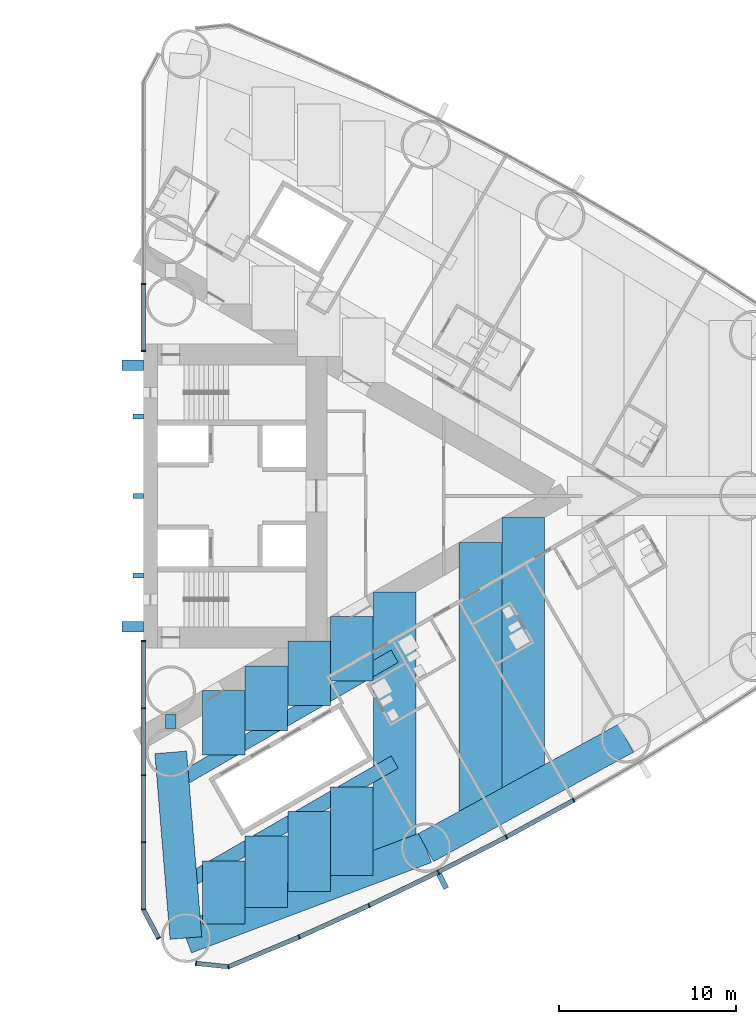
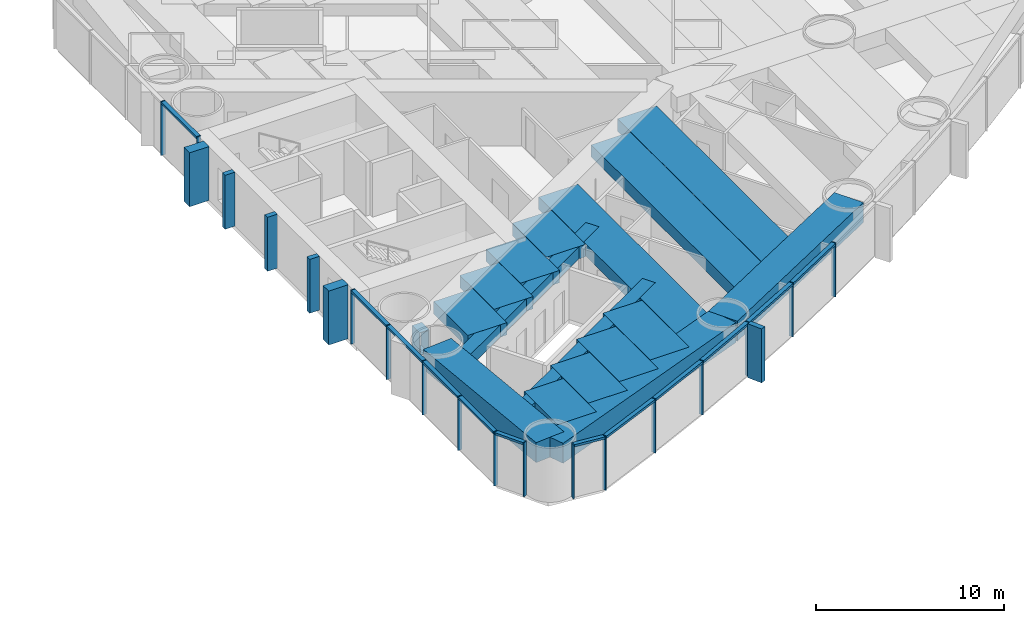
# One storey, part 6 of 19: 33 members, 17 beams, 3 elements without a shape of their own.
"""IFC4 building model written with IfcOpenShell, lengths in metres."""

from ifc_helpers import new_model, si_unit, direction, frame, origin, origin_2d, place, context, subcontext, project, spatial, rectangle, hollow_rectangle, extrude, material, material_profile, profile_set, type_object, element, aggregate, save


model = new_model("IFC4")

# Units and contexts
model_context = context("Model", 3, precision=1e-05, world=origin(), true_north=direction((0.0, 1.0)))
body_context = subcontext(model_context, "Body", "Model", "MODEL_VIEW")
ifc_project = project(units=[si_unit("LENGTHUNIT", "METRE"), si_unit("AREAUNIT", "SQUARE_METRE"), si_unit("VOLUMEUNIT", "CUBIC_METRE"), si_unit("PLANEANGLEUNIT", "RADIAN"), si_unit("MASSUNIT", "GRAM", prefix="KILO")], contexts=[model_context])

# Site, building, storey
site_placement = place(None, origin())
site = spatial("IfcSite", under=ifc_project, at=site_placement, CompositionType="ELEMENT")
building_placement = place(site_placement, origin())
building = spatial("IfcBuilding", under=site, at=building_placement, Name="Lancet Gate Hotel", CompositionType="ELEMENT")
storey_placement = place(building_placement, frame((0.0, 0.0, 63.5)))
storey = spatial("IfcBuildingStorey", under=building, at=storey_placement, Name="L16", CompositionType="ELEMENT", Elevation=63.5)

# Curtain wall, members
ifc_material_1 = material(Name="Aluminium curtain wall", Category="aluminium")
curtain_wall_type = type_object("IfcCurtainWallType", Name="Tower unitised curtain wall", PredefinedType="USERDEFINED", material=ifc_material_1)
curtain_wall_1_placement = place(storey_placement, origin())
curtain_wall_1 = element("IfcCurtainWall", 1, at=curtain_wall_1_placement, inside=storey, type_object=curtain_wall_type, Name="T2 L16 curtain wall 1", ObjectType="UNITISED CURTAIN WALL", PredefinedType="USERDEFINED")
ifc_material_2 = material(Name="Aluminium mullion", Category="aluminium")
ifc_material_profile_1 = material_profile(ifc_material_2, rectangle(XDim=0.06494140625, YDim=0.25, at=origin_2d()), Name="MULLION 65x250")
ifc_profile_set_1 = profile_set([ifc_material_profile_1], Name="Aluminium mullion")
member_type_1 = type_object("IfcMemberType", Name="Aluminium mullion 65x250", PredefinedType="MULLION", material=ifc_profile_set_1)
member_1_placement = place(storey_placement, frame((27.5, -8.199951171875, 0.0), z_axis=(0.0, 0.0, 1.0), x_axis=(0.0, -1.0, 0.0)))
member_1 = element("IfcMember", 2, at=member_1_placement, type_object=member_type_1, Name="T2 L16 curtain wall 1 mullion 1", PredefinedType="MULLION", context=body_context, shape_type="SweptSolid", body=[
    extrude(rectangle(XDim=0.06494140625, YDim=0.25, at=origin_2d()), origin(), (0.0, 0.0, 1.0), 3.5),
])
member_2_placement = place(storey_placement, frame((27.5, -11.99609375, 0.0), z_axis=(0.0, 0.0, 1.0), x_axis=(0.0, -1.0, 0.0)))
member_2 = element("IfcMember", 3, at=member_2_placement, type_object=member_type_1, Name="T2 L16 curtain wall 1 mullion 2", PredefinedType="MULLION", context=body_context, shape_type="SweptSolid", body=[
    extrude(rectangle(XDim=0.06494140625, YDim=0.25, at=origin_2d()), origin(), (0.0, 0.0, 1.0), 3.5),
])
member_3_placement = place(storey_placement, frame((27.5, -15.79248046875, 0.0), z_axis=(0.0, 0.0, 1.0), x_axis=(0.0, -1.0, 0.0)))
member_3 = element("IfcMember", 4, at=member_3_placement, type_object=member_type_1, Name="T2 L16 curtain wall 1 mullion 3", PredefinedType="MULLION", context=body_context, shape_type="SweptSolid", body=[
    extrude(rectangle(XDim=0.06494140625, YDim=0.25, at=origin_2d()), origin(), (0.0, 0.0, 1.0), 3.5),
])
member_4_placement = place(storey_placement, frame((27.5, -19.588623046875, 0.0), z_axis=(0.0, 0.0, 1.0), x_axis=(0.0, -1.0, 0.0)))
member_4 = element("IfcMember", 5, at=member_4_placement, type_object=member_type_1, Name="T2 L16 curtain wall 1 mullion 4", PredefinedType="MULLION", context=body_context, shape_type="SweptSolid", body=[
    extrude(rectangle(XDim=0.06494140625, YDim=0.25, at=origin_2d()), origin(), (0.0, 0.0, 1.0), 3.5),
])
member_5_placement = place(storey_placement, frame((27.5, -23.384765625, 0.0), z_axis=(0.0, 0.0, 1.0), x_axis=(0.157751691459, -0.987478811844, 0.0)))
member_5 = element("IfcMember", 6, at=member_5_placement, type_object=member_type_1, Name="T2 L16 curtain wall 1 mullion 5", PredefinedType="MULLION", context=body_context, shape_type="SweptSolid", body=[
    extrude(rectangle(XDim=0.06494140625, YDim=0.25, at=origin_2d()), origin(), (0.0, 0.0, 1.0), 3.5),
])
member_6_placement = place(storey_placement, frame((28.366455078125, -25.012451171875, 0.0), z_axis=(0.0, 0.0, 1.0), x_axis=(0.469897827284, -0.882720811987, 0.0)))
member_6 = element("IfcMember", 7, at=member_6_placement, type_object=member_type_1, Name="T2 L16 curtain wall 1 mullion 6", PredefinedType="MULLION", context=body_context, shape_type="SweptSolid", body=[
    extrude(rectangle(XDim=0.06494140625, YDim=0.25, at=origin_2d()), origin(), (0.0, 0.0, 1.0), 3.5),
])

curtain_wall_2_placement = place(storey_placement, origin())
curtain_wall_2 = element("IfcCurtainWall", 8, at=curtain_wall_2_placement, inside=storey, type_object=curtain_wall_type, Name="T2 L16 curtain wall 2", ObjectType="UNITISED CURTAIN WALL", PredefinedType="USERDEFINED")
member_7_placement = place(storey_placement, frame((30.48388671875, -26.4375, 0.0), z_axis=(0.0, 0.0, 1.0), x_axis=(0.994672262412, -0.10308778001, 0.0)))
member_7 = element("IfcMember", 9, at=member_7_placement, type_object=member_type_1, Name="T2 L16 curtain wall 2 mullion 1", PredefinedType="MULLION", context=body_context, shape_type="SweptSolid", body=[
    extrude(rectangle(XDim=0.06494140625, YDim=0.25, at=origin_2d()), origin(), (0.0, 0.0, 1.0), 3.5),
])
member_8_placement = place(storey_placement, frame((32.3173828125, -26.62744140625, 0.0), z_axis=(0.0, 0.0, 1.0), x_axis=(0.968721492963, 0.248150496819, 0.0)))
member_8 = element("IfcMember", 10, at=member_8_placement, type_object=member_type_1, Name="T2 L16 curtain wall 2 mullion 2", PredefinedType="MULLION", context=body_context, shape_type="SweptSolid", body=[
    extrude(rectangle(XDim=0.06494140625, YDim=0.25, at=origin_2d()), origin(), (0.0, 0.0, 1.0), 3.5),
])
member_9_placement = place(storey_placement, frame((36.31494140625, -24.943603515625, 0.0), z_axis=(0.0, 0.0, 1.0), x_axis=(0.916578705089, 0.399854320193, 0.0)))
member_9 = element("IfcMember", 11, at=member_9_placement, type_object=member_type_1, Name="T2 L16 curtain wall 2 mullion 3", PredefinedType="MULLION", context=body_context, shape_type="SweptSolid", body=[
    extrude(rectangle(XDim=0.06494140625, YDim=0.25, at=origin_2d()), origin(), (0.0, 0.0, 1.0), 3.5),
])
member_10_placement = place(storey_placement, frame((40.2685546875, -23.15869140625, 0.0), z_axis=(0.0, 0.0, 1.0), x_axis=(0.906104948671, 0.423052977762, 0.0)))
member_10 = element("IfcMember", 12, at=member_10_placement, type_object=member_type_1, Name="T2 L16 curtain wall 2 mullion 4", PredefinedType="MULLION", context=body_context, shape_type="SweptSolid", body=[
    extrude(rectangle(XDim=0.06494140625, YDim=0.25, at=origin_2d()), origin(), (0.0, 0.0, 1.0), 3.5),
])
member_11_placement = place(storey_placement, frame((44.17529296875, -21.273681640625, 0.0), z_axis=(0.0, 0.0, 1.0), x_axis=(0.895044147438, 0.445977548917, 0.0)))
member_11 = element("IfcMember", 13, at=member_11_placement, type_object=member_type_1, Name="T2 L16 curtain wall 2 mullion 5", PredefinedType="MULLION", context=body_context, shape_type="SweptSolid", body=[
    extrude(rectangle(XDim=0.06494140625, YDim=0.25, at=origin_2d()), origin(), (0.0, 0.0, 1.0), 3.5),
])
member_12_placement = place(storey_placement, frame((48.03271484375, -19.2900390625, 0.0), z_axis=(0.0, 0.0, 1.0), x_axis=(0.88340346743, 0.468613181347, 0.0)))
member_12 = element("IfcMember", 14, at=member_12_placement, type_object=member_type_1, Name="T2 L16 curtain wall 2 mullion 6", PredefinedType="MULLION", context=body_context, shape_type="SweptSolid", body=[
    extrude(rectangle(XDim=0.06494140625, YDim=0.25, at=origin_2d()), origin(), (0.0, 0.0, 1.0), 3.5),
])
member_13_placement = place(storey_placement, frame((51.838623046875, -17.208740234375, 0.0), z_axis=(0.0, 0.0, 1.0), x_axis=(0.871190450382, 0.490945209941, 0.0)))
member_13 = element("IfcMember", 15, at=member_13_placement, type_object=member_type_1, Name="T2 L16 curtain wall 2 mullion 7", PredefinedType="MULLION", context=body_context, shape_type="SweptSolid", body=[
    extrude(rectangle(XDim=0.06494140625, YDim=0.25, at=origin_2d()), origin(), (0.0, 0.0, 1.0), 3.5),
])

curtain_wall_3_placement = place(storey_placement, origin())
curtain_wall_3 = element("IfcCurtainWall", 16, at=curtain_wall_3_placement, inside=storey, type_object=curtain_wall_type, Name="T2 L16 curtain wall 4", ObjectType="UNITISED CURTAIN WALL", PredefinedType="USERDEFINED")
member_14_placement = place(storey_placement, frame((27.5, 11.99609375, 0.0), z_axis=(0.0, 0.0, 1.0), x_axis=(0.0, -1.0, 0.0)))
member_14 = element("IfcMember", 17, at=member_14_placement, type_object=member_type_1, Name="T2 L16 curtain wall 4 mullion 5", PredefinedType="MULLION", context=body_context, shape_type="SweptSolid", body=[
    extrude(rectangle(XDim=0.06494140625, YDim=0.25, at=origin_2d()), origin(), (0.0, 0.0, 1.0), 3.5),
])
member_15_placement = place(storey_placement, frame((27.5, 8.199951171875, 0.0), z_axis=(0.0, 0.0, 1.0), x_axis=(0.0, -1.0, 0.0)))
member_15 = element("IfcMember", 18, at=member_15_placement, type_object=member_type_1, Name="T2 L16 curtain wall 4 mullion 6", PredefinedType="MULLION", context=body_context, shape_type="SweptSolid", body=[
    extrude(rectangle(XDim=0.06494140625, YDim=0.25, at=origin_2d()), origin(), (0.0, 0.0, 1.0), 3.5),
])

# Member
ifc_material_3 = material(Name="Aluminium transom", Category="aluminium")
ifc_material_profile_2 = material_profile(ifc_material_3, rectangle(XDim=0.25, YDim=0.14990234375, at=origin_2d()), Name="TRANSOM 250x150")
ifc_profile_set_2 = profile_set([ifc_material_profile_2], Name="Aluminium transom")
member_type_2 = type_object("IfcMemberType", Name="Aluminium transom 250x150", PredefinedType="USERDEFINED", material=ifc_profile_set_2)
member_16_placement = place(storey_placement, frame((27.5, -8.232421875, 3.425048828125), z_axis=(0.0, -1.0, 0.0), x_axis=(1.0, 0.0, 0.0)))
member_16 = element("IfcMember", 19, at=member_16_placement, type_object=member_type_2, Name="T2 L16 curtain wall 1 transom 1", ObjectType="TRANSOM", PredefinedType="USERDEFINED", context=body_context, shape_type="SweptSolid", body=[
    extrude(rectangle(XDim=0.25, YDim=0.14990234375, at=origin_2d()), origin(), (0.0, 0.0, 1.0), 3.731201171875),
])

member_17_placement = place(storey_placement, frame((27.5, -12.02880859375, 3.425048828125), z_axis=(0.0, -1.0, 0.0), x_axis=(1.0, 0.0, 0.0)))
member_17 = element("IfcMember", 20, at=member_17_placement, type_object=member_type_2, Name="T2 L16 curtain wall 1 transom 2", ObjectType="TRANSOM", PredefinedType="USERDEFINED", context=body_context, shape_type="SweptSolid", body=[
    extrude(rectangle(XDim=0.25, YDim=0.14990234375, at=origin_2d()), origin(), (0.0, 0.0, 1.0), 3.731201171875),
])

member_18_placement = place(storey_placement, frame((27.5, -15.824951171875, 3.425048828125), z_axis=(0.0, -1.0, 0.0), x_axis=(1.0, 0.0, 0.0)))
member_18 = element("IfcMember", 21, at=member_18_placement, type_object=member_type_2, Name="T2 L16 curtain wall 1 transom 3", ObjectType="TRANSOM", PredefinedType="USERDEFINED", context=body_context, shape_type="SweptSolid", body=[
    extrude(rectangle(XDim=0.25, YDim=0.14990234375, at=origin_2d()), origin(), (0.0, 0.0, 1.0), 3.731201171875),
])

member_19_placement = place(storey_placement, frame((27.5, -19.62109375, 3.425048828125), z_axis=(0.0, -1.0, 0.0), x_axis=(1.0, 0.0, 0.0)))
member_19 = element("IfcMember", 22, at=member_19_placement, type_object=member_type_2, Name="T2 L16 curtain wall 1 transom 4", ObjectType="TRANSOM", PredefinedType="USERDEFINED", context=body_context, shape_type="SweptSolid", body=[
    extrude(rectangle(XDim=0.25, YDim=0.14990234375, at=origin_2d()), origin(), (0.0, 0.0, 1.0), 3.731201171875),
])

member_20_placement = place(storey_placement, frame((27.515380859375, -23.41357421875, 3.425048828125), z_axis=(0.469904276347, -0.882717378933, 0.0), x_axis=(0.882717378933, 0.469904276347, 0.0)))
member_20 = element("IfcMember", 23, at=member_20_placement, type_object=member_type_2, Name="T2 L16 curtain wall 1 transom 5", ObjectType="TRANSOM", PredefinedType="USERDEFINED", context=body_context, shape_type="SweptSolid", body=[
    extrude(rectangle(XDim=0.25, YDim=0.14990234375, at=origin_2d()), origin(), (0.0, 0.0, 1.0), 1.779052734375),
])

aggregate(curtain_wall_1, [member_1, member_2, member_3, member_4, member_5, member_6, member_16, member_17, member_18, member_19, member_20])

member_21_placement = place(storey_placement, frame((30.516357421875, -26.440673828125, 3.425048828125), z_axis=(0.994670452051, -0.103105246306, 0.0), x_axis=(0.103105246306, 0.994670452051, 0.0)))
member_21 = element("IfcMember", 24, at=member_21_placement, type_object=member_type_2, Name="T2 L16 curtain wall 2 transom 1", ObjectType="TRANSOM", PredefinedType="USERDEFINED", context=body_context, shape_type="SweptSolid", body=[
    extrude(rectangle(XDim=0.25, YDim=0.14990234375, at=origin_2d()), origin(), (0.0, 0.0, 1.0), 1.7783203125),
])

member_22_placement = place(storey_placement, frame((32.347412109375, -26.61474609375, 3.425048828125), z_axis=(0.92159772617, 0.388146404233, 0.0), x_axis=(-0.388146404233, 0.92159772617, 0.0)))
member_22 = element("IfcMember", 25, at=member_22_placement, type_object=member_type_2, Name="T2 L16 curtain wall 2 transom 2", ObjectType="TRANSOM", PredefinedType="USERDEFINED", context=body_context, shape_type="SweptSolid", body=[
    extrude(rectangle(XDim=0.25, YDim=0.14990234375, at=origin_2d()), origin(), (0.0, 0.0, 1.0), 4.272705078125),
])

member_23_placement = place(storey_placement, frame((36.3447265625, -24.930419921875, 3.425048828125), z_axis=(0.911396871737, 0.411528543589, 0.0), x_axis=(-0.411528543589, 0.911396871737, 0.0)))
member_23 = element("IfcMember", 26, at=member_23_placement, type_object=member_type_2, Name="T2 L16 curtain wall 2 transom 3", ObjectType="TRANSOM", PredefinedType="USERDEFINED", context=body_context, shape_type="SweptSolid", body=[
    extrude(rectangle(XDim=0.25, YDim=0.14990234375, at=origin_2d()), origin(), (0.0, 0.0, 1.0), 4.272705078125),
])

member_24_placement = place(storey_placement, frame((40.2978515625, -23.14453125, 3.425048828125), z_axis=(0.900646499888, 0.434552508035, 0.0), x_axis=(-0.434552508035, 0.900646499888, 0.0)))
member_24 = element("IfcMember", 27, at=member_24_placement, type_object=member_type_2, Name="T2 L16 curtain wall 2 transom 4", ObjectType="TRANSOM", PredefinedType="USERDEFINED", context=body_context, shape_type="SweptSolid", body=[
    extrude(rectangle(XDim=0.25, YDim=0.14990234375, at=origin_2d()), origin(), (0.0, 0.0, 1.0), 4.272705078125),
])

member_25_placement = place(storey_placement, frame((44.2041015625, -21.259033203125, 3.425048828125), z_axis=(0.88929576978, 0.457332520002, 0.0), x_axis=(-0.457332520002, 0.88929576978, 0.0)))
member_25 = element("IfcMember", 28, at=member_25_placement, type_object=member_type_2, Name="T2 L16 curtain wall 2 transom 5", ObjectType="TRANSOM", PredefinedType="USERDEFINED", context=body_context, shape_type="SweptSolid", body=[
    extrude(rectangle(XDim=0.25, YDim=0.14990234375, at=origin_2d()), origin(), (0.0, 0.0, 1.0), 4.272705078125),
])

member_26_placement = place(storey_placement, frame((48.061279296875, -19.2744140625, 3.425048828125), z_axis=(0.877377528879, 0.479800658417, 0.0), x_axis=(-0.479800658417, 0.877377528879, 0.0)))
member_26 = element("IfcMember", 29, at=member_26_placement, type_object=member_type_2, Name="T2 L16 curtain wall 2 transom 6", ObjectType="TRANSOM", PredefinedType="USERDEFINED", context=body_context, shape_type="SweptSolid", body=[
    extrude(rectangle(XDim=0.25, YDim=0.14990234375, at=origin_2d()), origin(), (0.0, 0.0, 1.0), 4.272705078125),
])

member_27_placement = place(storey_placement, frame((27.5, 11.963623046875, 3.425048828125), z_axis=(0.0, -1.0, 0.0), x_axis=(1.0, 0.0, 0.0)))
member_27 = element("IfcMember", 30, at=member_27_placement, type_object=member_type_2, Name="T2 L16 curtain wall 4 transom 5", ObjectType="TRANSOM", PredefinedType="USERDEFINED", context=body_context, shape_type="SweptSolid", body=[
    extrude(rectangle(XDim=0.25, YDim=0.14990234375, at=origin_2d()), origin(), (0.0, 0.0, 1.0), 3.731201171875),
])

aggregate(curtain_wall_3, [member_14, member_15, member_27])

# Beams
ifc_material_4 = material(Name="Concrete C50/60", Category="concrete")
ifc_material_profile_3 = material_profile(ifc_material_4, rectangle(XDim=1.800048828125, YDim=1.300048828125, at=origin_2d()), Name="RC 1800x1300")
ifc_profile_set_3 = profile_set([ifc_material_profile_3], Name="Concrete C50/60")
beam_type_1 = type_object("IfcBeamType", Name="Edge beam RC 1800x1300", PredefinedType="SPANDREL", material=ifc_profile_set_3)
beam_1_placement = place(storey_placement, frame((29.9111328125, -25.00244140625, 2.60009765625), z_axis=(0.935736448066, 0.352700013836, 0.0), x_axis=(-0.352700013836, 0.935736448066, 0.0)))
element("IfcBeam", 31, at=beam_1_placement, inside=storey, type_object=beam_type_1, Name="T2 edge beam EB1 L16", PredefinedType="SPANDREL", context=body_context, shape_type="SweptSolid", body=[
    extrude(rectangle(XDim=1.800048828125, YDim=1.300048828125, at=origin_2d()), origin(), (0.0, 0.0, 1.0), 14.505126953125),
])
beam_2_placement = place(storey_placement, frame((43.484130859375, -19.886474609375, 2.60009765625), z_axis=(0.87736889738, 0.479816441893, 0.0), x_axis=(-0.479816441893, 0.87736889738, 0.0)))
element("IfcBeam", 32, at=beam_2_placement, inside=storey, type_object=beam_type_1, Name="T2 edge beam EB1 L16", PredefinedType="SPANDREL", context=body_context, shape_type="SweptSolid", body=[
    extrude(rectangle(XDim=1.800048828125, YDim=1.300048828125, at=origin_2d()), origin(), (0.0, 0.0, 1.0), 12.89208984375),
])
beam_3_placement = place(storey_placement, frame((29.9111328125, -25.00244140625, 2.60009765625), z_axis=(-0.081714744052, 0.996655758326, 0.0), x_axis=(-0.996655758326, -0.081714744052, 0.0)))
element("IfcBeam", 33, at=beam_3_placement, inside=storey, type_object=beam_type_1, Name="T2 edge beam EB1 L16", PredefinedType="SPANDREL", context=body_context, shape_type="SweptSolid", body=[
    extrude(rectangle(XDim=1.800048828125, YDim=1.300048828125, at=origin_2d()), origin(), (0.0, 0.0, 1.0), 10.53759765625),
])

# Members
ifc_material_5 = material(Name="Concrete C60/75", Category="concrete")
ifc_material_profile_4 = material_profile(ifc_material_5, rectangle(XDim=0.60009765625, YDim=1.199951171875, at=origin_2d()), Name="FIN 600x1200")
ifc_profile_set_4 = profile_set([ifc_material_profile_4], Name="Concrete C60/75")
member_type_3 = type_object("IfcMemberType", Name="Exposed concrete buttress pilaster 600x1200", PredefinedType="USERDEFINED", material=ifc_profile_set_4)
for number, where, z_axis, x_axis, name in (
    (34, (26.909912109375, -7.39990234375, 0.0), (0.0, 0.0, 1.0), (0.0, 1.0, 0.0), "T2 buttress pilaster S L16"),
    (35, (26.909912109375, 7.39990234375, 0.0), (0.0, 0.0, 1.0), (0.0, 1.0, 0.0), "T2 buttress pilaster N L16"),
):
    element("IfcMember", number, at=place(storey_placement, frame(where, z_axis=z_axis, x_axis=x_axis)), inside=storey, type_object=member_type_3, Name=name, ObjectType="FIN", PredefinedType="USERDEFINED", context=body_context, shape_type="SweptSolid", body=[
        extrude(rectangle(XDim=0.60009765625, YDim=1.199951171875, at=origin_2d()), origin(), (0.0, 0.0, 1.0), 3.5),
    ])

# Member
ifc_material_6 = material(Name="Precast concrete C50/60", Category="concrete")
ifc_material_profile_5 = material_profile(ifc_material_6, rectangle(XDim=0.300048828125, YDim=0.89990234375, at=origin_2d()), Name="FIN 300x900")
ifc_profile_set_5 = profile_set([ifc_material_profile_5], Name="Precast concrete C50/60")
member_type_4 = type_object("IfcMemberType", Name="Exposed concrete fin 300x900", PredefinedType="USERDEFINED", material=ifc_profile_set_5)
member_28_placement = place(storey_placement, frame((44.431640625, -21.788330078125, 0.0), z_axis=(0.0, 0.0, 1.0), x_axis=(0.895044147438, 0.445977548917, 0.0)))
member_28 = element("IfcMember", 36, at=member_28_placement, type_object=member_type_4, Name="T2 L16 curtain wall 2 fin 5", ObjectType="FIN", PredefinedType="USERDEFINED", context=body_context, shape_type="SweptSolid", body=[
    extrude(rectangle(XDim=0.300048828125, YDim=0.89990234375, at=origin_2d()), origin(), (0.0, 0.0, 1.0), 3.5),
])

aggregate(curtain_wall_2, [member_7, member_8, member_9, member_10, member_11, member_28, member_12, member_13, member_21, member_22, member_23, member_24, member_25, member_26])

# Members
ifc_material_7 = material(Name="Concrete C60/75", Category="concrete")
ifc_material_profile_6 = material_profile(ifc_material_7, rectangle(XDim=0.300048828125, YDim=0.60009765625, at=origin_2d()), Name="FIN 300x600")
ifc_profile_set_6 = profile_set([ifc_material_profile_6], Name="Concrete C60/75")
member_type_5 = type_object("IfcMemberType", Name="Exposed concrete rib 300x600", PredefinedType="USERDEFINED", material=ifc_profile_set_6)
for number, where, z_axis, x_axis, name in (
    (37, (27.2099609375, -4.5, 0.0), (0.0, 0.0, 1.0), (0.0, 1.0, 0.0), "T2 core rib 1 L16"),
    (38, (27.2099609375, 0.0, 0.0), (0.0, 0.0, 1.0), (0.0, 1.0, 0.0), "T2 core rib 2 L16"),
    (39, (27.2099609375, 4.5, 0.0), (0.0, 0.0, 1.0), (0.0, 1.0, 0.0), "T2 core rib 3 L16"),
):
    element("IfcMember", number, at=place(storey_placement, frame(where, z_axis=z_axis, x_axis=x_axis)), inside=storey, type_object=member_type_5, Name=name, ObjectType="FIN", PredefinedType="USERDEFINED", context=body_context, shape_type="SweptSolid", body=[
        extrude(rectangle(XDim=0.300048828125, YDim=0.60009765625, at=origin_2d()), origin(), (0.0, 0.0, 1.0), 3.5),
    ])

# Beams
ifc_material_8 = material(Name="Concrete C50/60", Category="concrete")
ifc_material_profile_7 = material_profile(ifc_material_8, rectangle(XDim=2.39990234375, YDim=0.800048828125, at=origin_2d()), Name="RC 2400x800")
ifc_profile_set_7 = profile_set([ifc_material_profile_7], Name="Concrete C50/60")
beam_type_2 = type_object("IfcBeamType", Name="Floor beam RC 2400x800", PredefinedType="BEAM", material=ifc_profile_set_7)
beam_4_placement = place(storey_placement, frame((41.721435546875, -20.55078125, 2.85009765625), z_axis=(0.0, 1.0, 0.0), x_axis=(-1.0, 0.0, 0.0)))
element("IfcBeam", 40, at=beam_4_placement, inside=storey, type_object=beam_type_2, Name="T2 floor beam F11S L16", PredefinedType="BEAM", context=body_context, shape_type="SweptSolid", body=[
    extrude(rectangle(XDim=2.39990234375, YDim=0.800048828125, at=origin_2d()), origin(), (0.0, 0.0, 1.0), 15.134765625),
])
beam_5_placement = place(storey_placement, frame((46.561767578125, -18.203369140625, 2.85009765625), z_axis=(0.0, 1.0, 0.0), x_axis=(-1.0, 0.0, 0.0)))
element("IfcBeam", 41, at=beam_5_placement, inside=storey, type_object=beam_type_2, Name="T2 floor beam F13S L16", PredefinedType="BEAM", context=body_context, shape_type="SweptSolid", body=[
    extrude(rectangle(XDim=2.39990234375, YDim=0.800048828125, at=origin_2d()), origin(), (0.0, 0.0, 1.0), 15.58203125),
])
beam_6_placement = place(storey_placement, frame((48.98193359375, -16.879638671875, 2.85009765625), z_axis=(0.0, 1.0, 0.0), x_axis=(-1.0, 0.0, 0.0)))
element("IfcBeam", 42, at=beam_6_placement, inside=storey, type_object=beam_type_2, Name="T2 floor beam F15S L16", PredefinedType="BEAM", context=body_context, shape_type="SweptSolid", body=[
    extrude(rectangle(XDim=2.39990234375, YDim=0.800048828125, at=origin_2d()), origin(), (0.0, 0.0, 1.0), 15.655517578125),
])
beam_7_placement = place(storey_placement, frame((32.04052734375, -24.199951171875, 2.85009765625), z_axis=(0.0, 1.0, 0.0), x_axis=(-1.0, 0.0, 0.0)))
element("IfcBeam", 43, at=beam_7_placement, inside=storey, type_object=beam_type_2, Name="T2 floor beam F03SA L16", PredefinedType="BEAM", context=body_context, shape_type="SweptSolid", body=[
    extrude(rectangle(XDim=2.39990234375, YDim=0.800048828125, at=origin_2d()), origin(), (0.0, 0.0, 1.0), 3.5615234375),
])
beam_8_placement = place(storey_placement, frame((32.04052734375, -14.65087890625, 2.85009765625), z_axis=(0.0, 1.0, 0.0), x_axis=(-1.0, 0.0, 0.0)))
element("IfcBeam", 44, at=beam_8_placement, inside=storey, type_object=beam_type_2, Name="T2 floor beam F03SB L16", PredefinedType="BEAM", context=body_context, shape_type="SweptSolid", body=[
    extrude(rectangle(XDim=2.39990234375, YDim=0.800048828125, at=origin_2d()), origin(), (0.0, 0.0, 1.0), 3.6455078125),
])
beam_9_placement = place(storey_placement, frame((34.460693359375, -23.28759765625, 2.85009765625), z_axis=(0.0, 1.0, 0.0), x_axis=(-1.0, 0.0, 0.0)))
element("IfcBeam", 45, at=beam_9_placement, inside=storey, type_object=beam_type_2, Name="T2 floor beam F05SA L16", PredefinedType="BEAM", context=body_context, shape_type="SweptSolid", body=[
    extrude(rectangle(XDim=2.39990234375, YDim=0.800048828125, at=origin_2d()), origin(), (0.0, 0.0, 1.0), 4.04638671875),
])
beam_10_placement = place(storey_placement, frame((34.460693359375, -13.253662109375, 2.85009765625), z_axis=(0.0, 1.0, 0.0), x_axis=(-1.0, 0.0, 0.0)))
element("IfcBeam", 46, at=beam_10_placement, inside=storey, type_object=beam_type_2, Name="T2 floor beam F05SB L16", PredefinedType="BEAM", context=body_context, shape_type="SweptSolid", body=[
    extrude(rectangle(XDim=2.39990234375, YDim=0.800048828125, at=origin_2d()), origin(), (0.0, 0.0, 1.0), 3.645751953125),
])
beam_11_placement = place(storey_placement, frame((36.880859375, -22.37548828125, 2.85009765625), z_axis=(0.0, 1.0, 0.0), x_axis=(-1.0, 0.0, 0.0)))
element("IfcBeam", 47, at=beam_11_placement, inside=storey, type_object=beam_type_2, Name="T2 floor beam F07SA L16", PredefinedType="BEAM", context=body_context, shape_type="SweptSolid", body=[
    extrude(rectangle(XDim=2.39990234375, YDim=0.800048828125, at=origin_2d()), origin(), (0.0, 0.0, 1.0), 4.53173828125),
])
beam_12_placement = place(storey_placement, frame((36.880859375, -11.8564453125, 2.85009765625), z_axis=(0.0, 1.0, 0.0), x_axis=(-1.0, 0.0, 0.0)))
element("IfcBeam", 48, at=beam_12_placement, inside=storey, type_object=beam_type_2, Name="T2 floor beam F07SB L16", PredefinedType="BEAM", context=body_context, shape_type="SweptSolid", body=[
    extrude(rectangle(XDim=2.39990234375, YDim=0.800048828125, at=origin_2d()), origin(), (0.0, 0.0, 1.0), 3.645751953125),
])
beam_13_placement = place(storey_placement, frame((39.301025390625, -21.463134765625, 2.85009765625), z_axis=(0.0, 1.0, 0.0), x_axis=(-1.0, 0.0, 0.0)))
element("IfcBeam", 49, at=beam_13_placement, inside=storey, type_object=beam_type_2, Name="T2 floor beam F09SA L16", PredefinedType="BEAM", context=body_context, shape_type="SweptSolid", body=[
    extrude(rectangle(XDim=2.39990234375, YDim=0.800048828125, at=origin_2d()), origin(), (0.0, 0.0, 1.0), 5.0166015625),
])
beam_14_placement = place(storey_placement, frame((39.301025390625, -10.458984375, 2.85009765625), z_axis=(0.0, 1.0, 0.0), x_axis=(-1.0, 0.0, 0.0)))
element("IfcBeam", 50, at=beam_14_placement, inside=storey, type_object=beam_type_2, Name="T2 floor beam F09SB L16", PredefinedType="BEAM", context=body_context, shape_type="SweptSolid", body=[
    extrude(rectangle(XDim=2.39990234375, YDim=0.800048828125, at=origin_2d()), origin(), (0.0, 0.0, 1.0), 3.6455078125),
])
ifc_material_9 = material(Name="Steel S460QL", Category="steel")
ifc_material_profile_8 = material_profile(ifc_material_9, hollow_rectangle(XDim=0.60009765625, YDim=1.5, WallThickness=0.050048828125, at=origin_2d()), Name="BOX 1500x600x50")
ifc_profile_set_8 = profile_set([ifc_material_profile_8], Name="Steel S460QL")
beam_type_3 = type_object("IfcBeamType", Name="Inner-face link beam BOX 1500x600x50", PredefinedType="BEAM", material=ifc_profile_set_8)
beam_15_placement = place(storey_placement, frame((29.050048828125, -13.14990234375, 2.5), z_axis=(0.0, 1.0, 0.0), x_axis=(-1.0, 0.0, 0.0)))
element("IfcBeam", 51, at=beam_15_placement, inside=storey, type_object=beam_type_3, Name="T2 inner-face link beam LK1 L16", PredefinedType="BEAM", context=body_context, shape_type="SweptSolid", body=[
    extrude(hollow_rectangle(XDim=0.60009765625, YDim=1.5, WallThickness=0.050048828125, at=origin_2d()), origin(), (0.0, 0.0, 1.0), 0.7998046875),
])
ifc_material_10 = material(Name="Steel S460QL", Category="steel")
ifc_material_profile_9 = material_profile(ifc_material_10, hollow_rectangle(XDim=0.800048828125, YDim=0.800048828125, WallThickness=0.080078125, at=origin_2d()), Name="BOX 800x800x80")
ifc_profile_set_9 = profile_set([ifc_material_profile_9], Name="Steel S460QL")
beam_type_4 = type_object("IfcBeamType", Name="Trimmer beam BOX 800x800x80", PredefinedType="BEAM", material=ifc_profile_set_9)
beam_16_placement = place(storey_placement, frame((29.6201171875, -16.048095703125, 2.85009765625), z_axis=(0.866036909293, 0.499980071345, 0.0), x_axis=(-0.499980071345, 0.866036909293, 0.0)))
element("IfcBeam", 52, at=beam_16_placement, inside=storey, type_object=beam_type_4, Name="T2 trimmer beam TR01S L16", PredefinedType="BEAM", context=body_context, shape_type="SweptSolid", body=[
    extrude(hollow_rectangle(XDim=0.800048828125, YDim=0.800048828125, WallThickness=0.080078125, at=origin_2d()), origin(), (0.0, 0.0, 1.0), 13.97314453125),
])
beam_17_placement = place(storey_placement, frame((29.665771484375, -22.00927734375, 2.85009765625), z_axis=(0.866037222451, 0.499979528911, 0.0), x_axis=(-0.499979528911, 0.866037222451, 0.0)))
element("IfcBeam", 53, at=beam_17_placement, inside=storey, type_object=beam_type_4, Name="T2 trimmer beam TR02S L16", PredefinedType="BEAM", context=body_context, shape_type="SweptSolid", body=[
    extrude(hollow_rectangle(XDim=0.800048828125, YDim=0.800048828125, WallThickness=0.080078125, at=origin_2d()), origin(), (0.0, 0.0, 1.0), 13.92041015625),
])

save(model, "model.ifc")
